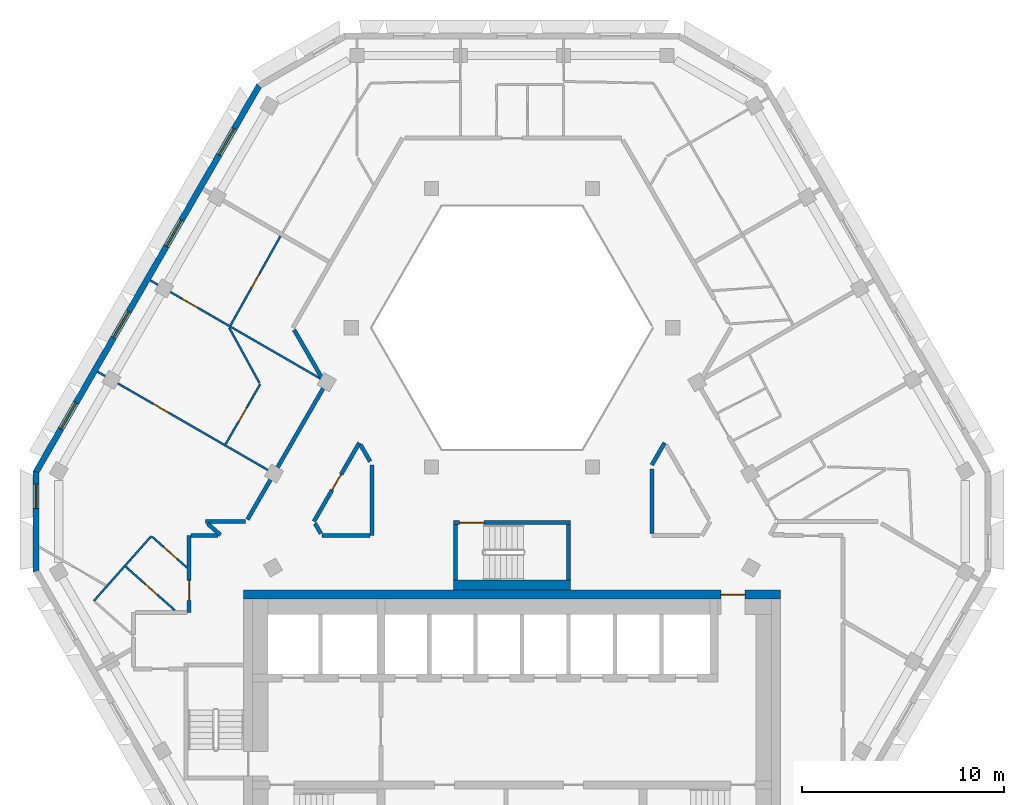
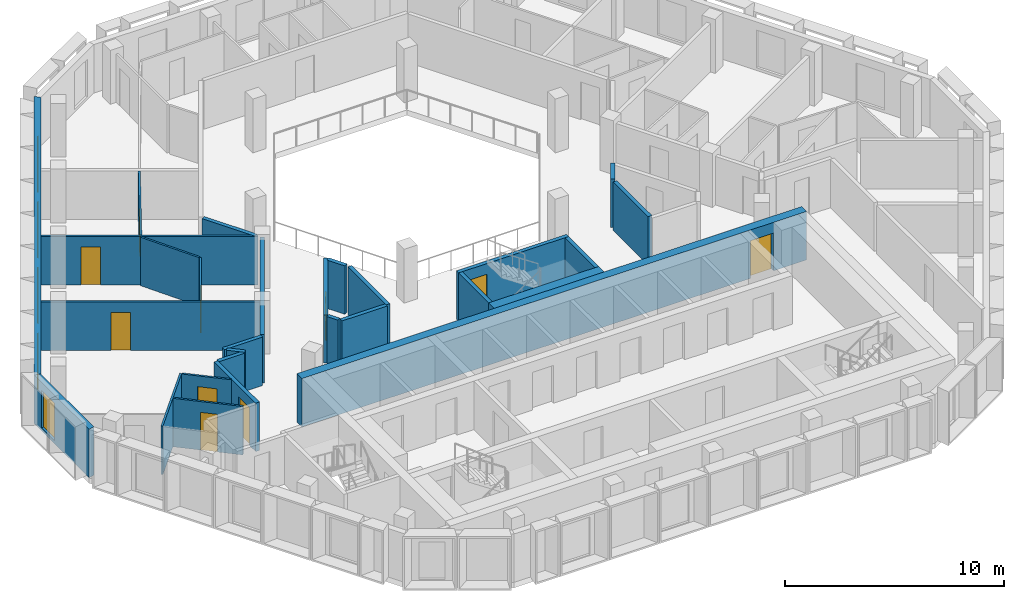
# One storey, part 4 of 14: 28 walls, 10 doors, 5 windows, 15 openings.
"""IFC4 building model written with IfcOpenShell, lengths in metres."""

from ifc_helpers import new_model, si_unit, direction, frame, frame_2d, origin, place, context, subcontext, project, spatial, polyline, rectangle, outline, extrude, material, layer, layer_set, type_object, element, fill, save


model = new_model("IFC4")

# Units and contexts
model_context = context("Model", 3, precision=1e-05, world=origin(), true_north=direction((0.0, 1.0)))
body_context = subcontext(model_context, "Body", "Model", "MODEL_VIEW")
ifc_project = project(units=[si_unit("LENGTHUNIT", "METRE"), si_unit("AREAUNIT", "SQUARE_METRE"), si_unit("VOLUMEUNIT", "CUBIC_METRE"), si_unit("PLANEANGLEUNIT", "RADIAN"), si_unit("MASSUNIT", "GRAM", prefix="KILO")], contexts=[model_context])

# Site, building, storey
site_placement = place(None, origin())
site = spatial("IfcSite", under=ifc_project, at=site_placement, CompositionType="ELEMENT")
building_placement = place(site_placement, origin())
building = spatial("IfcBuilding", under=site, at=building_placement, Name="Beryl Residences", CompositionType="ELEMENT")
storey_placement = place(building_placement, frame((0.0, 0.0, 235.800048828125)))
storey = spatial("IfcBuildingStorey", under=building, at=storey_placement, Name="L73", CompositionType="ELEMENT", Elevation=235.800048828125)

# Wall, openings, windows
ifc_material_1 = material(Name="Composite metal panel with mineral wool insulation")
ifc_layer_1 = layer(ifc_material_1, 0.300048828125)
ifc_layer_set_1 = layer_set([ifc_layer_1], Name="ES1 pale metal composite panel wall 300 mm")
wall_type_1 = type_object("IfcWallType", Name="ES1 pale metal composite panel wall 300 mm", PredefinedType="SOLIDWALL", material=ifc_layer_set_1)
wall_1_placement = place(storey_placement, frame((-12.513916015625, 20.02490234375, 0.0), z_axis=(0.0, 0.0, 1.0), x_axis=(-0.500003656944, -0.866023292436, 0.0)))
wall_1 = element("IfcWall", 1, at=wall_1_placement, inside=storey, type_object=wall_type_1, Name="ES1 external wall L73 NW", PredefinedType="SOLIDWALL", context=body_context, shape_type="SweptSolid", body=[
    extrude(outline(polyline([(0.0, -0.14990234375), (22.170166015625, -0.14990234375), (22.08984375, 0.14990234375), (0.080322265625, 0.14990234375), (0.0, -0.14990234375)])), origin(), (0.0, 0.0, 1.0), 2.699951171875),
])
opening_1_placement = place(wall_1_placement, frame((2.4970703125, 0.0, 0.14990234375)))
opening_1 = element("IfcOpeningElement", 2, at=opening_1_placement, cuts=wall_1, Name="Opening W1", PredefinedType="OPENING", context=body_context, shape_type="SweptSolid", body=[
    extrude(rectangle(XDim=1.5, YDim=2.10009765625, at=frame_2d((0.75, 1.050048828125))), frame((0.0, 0.159912109375, 0.0), z_axis=(0.0, -1.0, 0.0), x_axis=(1.0, 0.0, 0.0)), (0.0, 0.0, 1.0), 0.320068359375),
])
opening_2_placement = place(wall_1_placement, frame((7.721923828125, 0.0, 0.14990234375)))
opening_2 = element("IfcOpeningElement", 3, at=opening_2_placement, cuts=wall_1, Name="Opening W1", PredefinedType="OPENING", context=body_context, shape_type="SweptSolid", body=[
    extrude(rectangle(XDim=1.5, YDim=2.10009765625, at=frame_2d((0.75, 1.050048828125))), frame((0.0, 0.159912109375, 0.0), z_axis=(0.0, -1.0, 0.0), x_axis=(1.0, 0.0, 0.0)), (0.0, 0.0, 1.0), 0.320068359375),
])
opening_3_placement = place(wall_1_placement, frame((12.947998046875, 0.0, 0.14990234375)))
opening_3 = element("IfcOpeningElement", 4, at=opening_3_placement, cuts=wall_1, Name="Opening W1", PredefinedType="OPENING", context=body_context, shape_type="SweptSolid", body=[
    extrude(rectangle(XDim=1.5, YDim=2.10009765625, at=frame_2d((0.75, 1.050048828125))), frame((0.0, 0.159912109375, 0.0), z_axis=(0.0, -1.0, 0.0), x_axis=(1.0, 0.0, 0.0)), (0.0, 0.0, 1.0), 0.320068359375),
])
opening_4_placement = place(wall_1_placement, frame((18.173095703125, 0.0, 0.14990234375)))
opening_4 = element("IfcOpeningElement", 5, at=opening_4_placement, cuts=wall_1, Name="Opening W1", PredefinedType="OPENING", context=body_context, shape_type="SweptSolid", body=[
    extrude(rectangle(XDim=1.5, YDim=2.10009765625, at=frame_2d((0.75, 1.050048828125))), frame((0.0, 0.159912109375, 0.0), z_axis=(0.0, -1.0, 0.0), x_axis=(1.0, 0.0, 0.0)), (0.0, 0.0, 1.0), 0.320068359375),
])
ifc_material_2 = material(Name="Aluminium and clear glass", Category="aluminium")
window_type_1 = type_object("IfcWindowType", Name="W1 cell window 1500 x 2100 mm", PartitioningType="SINGLE_PANEL", PredefinedType="WINDOW", material=ifc_material_2)
window_1_placement = place(opening_1_placement, origin())
window_1 = element("IfcWindow", 6, at=window_1_placement, inside=storey, type_object=window_type_1, Name="W1 window L73 NW 2", OverallHeight=2.10009765625, OverallWidth=1.5, PartitioningType="SINGLE_PANEL", PredefinedType="WINDOW", context=body_context, shape_type="SweptSolid", body=[
    extrude(rectangle(XDim=1.5, YDim=2.10009765625, at=frame_2d((0.75, 1.050048828125))), frame((0.0, 0.030029296875, 0.0), z_axis=(0.0, -1.0, 0.0), x_axis=(1.0, 0.0, 0.0)), (0.0, 0.0, 1.0), 0.06005859375),
])
fill(opening_1, window_1)
window_2_placement = place(opening_2_placement, origin())
window_2 = element("IfcWindow", 7, at=window_2_placement, inside=storey, type_object=window_type_1, Name="W1 window L73 NW 4", OverallHeight=2.10009765625, OverallWidth=1.5, PartitioningType="SINGLE_PANEL", PredefinedType="WINDOW", context=body_context, shape_type="SweptSolid", body=[
    extrude(rectangle(XDim=1.5, YDim=2.10009765625, at=frame_2d((0.75, 1.050048828125))), frame((0.0, 0.030029296875, 0.0), z_axis=(0.0, -1.0, 0.0), x_axis=(1.0, 0.0, 0.0)), (0.0, 0.0, 1.0), 0.06005859375),
])
fill(opening_2, window_2)
window_3_placement = place(opening_3_placement, origin())
window_3 = element("IfcWindow", 8, at=window_3_placement, inside=storey, type_object=window_type_1, Name="W1 window L73 NW 6", OverallHeight=2.10009765625, OverallWidth=1.5, PartitioningType="SINGLE_PANEL", PredefinedType="WINDOW", context=body_context, shape_type="SweptSolid", body=[
    extrude(rectangle(XDim=1.5, YDim=2.10009765625, at=frame_2d((0.75, 1.050048828125))), frame((0.0, 0.030029296875, 0.0), z_axis=(0.0, -1.0, 0.0), x_axis=(1.0, 0.0, 0.0)), (0.0, 0.0, 1.0), 0.06005859375),
])
fill(opening_3, window_3)
window_4_placement = place(opening_4_placement, origin())
window_4 = element("IfcWindow", 9, at=window_4_placement, inside=storey, type_object=window_type_1, Name="W1 window L73 NW 8", OverallHeight=2.10009765625, OverallWidth=1.5, PartitioningType="SINGLE_PANEL", PredefinedType="WINDOW", context=body_context, shape_type="SweptSolid", body=[
    extrude(rectangle(XDim=1.5, YDim=2.10009765625, at=frame_2d((0.75, 1.050048828125))), frame((0.0, 0.030029296875, 0.0), z_axis=(0.0, -1.0, 0.0), x_axis=(1.0, 0.0, 0.0)), (0.0, 0.0, 1.0), 0.06005859375),
])
fill(opening_4, window_4)

# Wall, opening, window
wall_2_placement = place(storey_placement, frame((-23.5791015625, 0.89990234375, 0.0), z_axis=(0.0, 0.0, 1.0), x_axis=(0.0, -1.0, 0.0)))
wall_2 = element("IfcWall", 10, at=wall_2_placement, inside=storey, type_object=wall_type_1, Name="ES1 external wall L73 NW-SW", PredefinedType="SOLIDWALL", context=body_context, shape_type="SweptSolid", body=[
    extrude(outline(polyline([(0.0, -0.14990234375), (5.0, -0.14990234375), (4.919677734375, 0.14990234375), (0.080322265625, 0.14990234375), (0.0, -0.14990234375)])), origin(), (0.0, 0.0, 1.0), 2.699951171875),
])
opening_5_placement = place(wall_2_placement, frame((0.64990234375, 0.0, 0.14990234375)))
opening_5 = element("IfcOpeningElement", 11, at=opening_5_placement, cuts=wall_2, Name="Opening W2", PredefinedType="OPENING", context=body_context, shape_type="SweptSolid", body=[
    extrude(rectangle(XDim=1.199951171875, YDim=2.10009765625, at=frame_2d((0.60009765625, 1.050048828125))), frame((0.0, 0.159912109375, 0.0), z_axis=(0.0, -1.0, 0.0), x_axis=(1.0, 0.0, 0.0)), (0.0, 0.0, 1.0), 0.320068359375),
])
ifc_material_3 = material(Name="Aluminium and clear glass", Category="aluminium")
window_type_2 = type_object("IfcWindowType", Name="W2 chamfer window 1200 x 2100 mm", PartitioningType="SINGLE_PANEL", PredefinedType="WINDOW", material=ifc_material_3)
window_5_placement = place(opening_5_placement, origin())
window_5 = element("IfcWindow", 12, at=window_5_placement, inside=storey, type_object=window_type_2, Name="W2 window L73 NW-SW 1", OverallHeight=2.10009765625, OverallWidth=1.199951171875, PartitioningType="SINGLE_PANEL", PredefinedType="WINDOW", context=body_context, shape_type="SweptSolid", body=[
    extrude(rectangle(XDim=1.199951171875, YDim=2.10009765625, at=frame_2d((0.60009765625, 1.050048828125))), frame((0.0, 0.030029296875, 0.0), z_axis=(0.0, -1.0, 0.0), x_axis=(1.0, 0.0, 0.0)), (0.0, 0.0, 1.0), 0.06005859375),
])
fill(opening_5, window_5)

# Wall
ifc_material_4 = material(Name="Gypsum board partition on steel studs", Category="steel")
ifc_layer_2 = layer(ifc_material_4, 0.10009765625)
ifc_layer_set_2 = layer_set([ifc_layer_2], Name="PT1 partition 100 mm gypsum board on steel studs")
wall_type_2 = type_object("IfcWallType", Name="PT1 partition 100 mm gypsum board on steel studs", PredefinedType="PARTITIONING", material=ifc_layer_set_2)
wall_3_placement = place(storey_placement, frame((-14.011962890625, 8.0, 0.0), z_axis=(0.0, 0.0, 1.0), x_axis=(0.480183343847, -0.877168145963, 0.0)))
element("IfcWall", 13, at=wall_3_placement, inside=storey, type_object=wall_type_2, Name="Wall PT1 L73 005", PredefinedType="PARTITIONING", context=body_context, shape_type="SweptSolid", body=[
    extrude(rectangle(XDim=3.134033203125, YDim=0.10009765625, at=frame_2d((1.56689453125, 0.0))), origin(), (0.0, 0.0, 1.0), 2.699951171875),
])

# Wall, opening, door
wall_4_placement = place(storey_placement, frame((-20.5390625, 5.824951171875, 0.0), z_axis=(0.0, 0.0, 1.0), x_axis=(0.866089650643, -0.499888704662, 0.0)))
wall_4 = element("IfcWall", 14, at=wall_4_placement, inside=storey, type_object=wall_type_2, Name="Wall PT1 L73 015", PredefinedType="PARTITIONING", context=body_context, shape_type="SweptSolid", body=[
    extrude(rectangle(XDim=10.000244140625, YDim=0.10009765625, at=frame_2d((5.0, 0.0))), origin(), (0.0, 0.0, 1.0), 2.699951171875),
])
opening_6_placement = place(wall_4_placement, frame((3.196044921875, 0.0, 0.0)))
opening_6 = element("IfcOpeningElement", 15, at=opening_6_placement, cuts=wall_4, Name="Opening D2215", PredefinedType="OPENING", context=body_context, shape_type="SweptSolid", body=[
    extrude(rectangle(XDim=0.89990234375, YDim=2.10009765625, at=frame_2d((0.449951171875, 1.050048828125))), frame((0.0, 0.06005859375, 0.0), z_axis=(0.0, -1.0, 0.0), x_axis=(1.0, 0.0, 0.0)), (0.0, 0.0, 1.0), 0.1201171875),
])
ifc_material_5 = material(Name="Timber door leaf", Category="wood")
door_type_1 = type_object("IfcDoorType", Name="D2 room door 900 x 2100 mm", OperationType="SINGLE_SWING_LEFT", PredefinedType="DOOR", material=ifc_material_5)
door_1_placement = place(opening_6_placement, origin())
door_1 = element("IfcDoor", 16, at=door_1_placement, inside=storey, type_object=door_type_1, Name="Door D2215 L73 001", OperationType="SINGLE_SWING_LEFT", OverallHeight=2.10009765625, OverallWidth=0.89990234375, PredefinedType="DOOR", context=body_context, shape_type="SweptSolid", body=[
    extrude(rectangle(XDim=0.89990234375, YDim=2.10009765625, at=frame_2d((0.449951171875, 1.050048828125))), frame((0.0, 0.02490234375, 0.0), z_axis=(0.0, -1.0, 0.0), x_axis=(1.0, 0.0, 0.0)), (0.0, 0.0, 1.0), 0.050048828125),
])
fill(opening_6, door_1)

wall_5_placement = place(storey_placement, frame((-17.926025390625, 10.35009765625, 0.0), z_axis=(0.0, 0.0, 1.0), x_axis=(0.866018411306, -0.500012111133, 0.0)))
wall_5 = element("IfcWall", 17, at=wall_5_placement, inside=storey, type_object=wall_type_2, Name="Wall PT1 L73 017", PredefinedType="PARTITIONING", context=body_context, shape_type="SweptSolid", body=[
    extrude(rectangle(XDim=9.898193359375, YDim=0.10009765625, at=frame_2d((4.94921875, 0.0))), origin(), (0.0, 0.0, 1.0), 2.699951171875),
])
opening_7_placement = place(wall_5_placement, frame((1.830078125, 0.0, 0.0)))
opening_7 = element("IfcOpeningElement", 18, at=opening_7_placement, cuts=wall_5, Name="Opening D2217", PredefinedType="OPENING", context=body_context, shape_type="SweptSolid", body=[
    extrude(rectangle(XDim=0.89990234375, YDim=2.10009765625, at=frame_2d((0.449951171875, 1.050048828125))), frame((0.0, 0.06005859375, 0.0), z_axis=(0.0, -1.0, 0.0), x_axis=(1.0, 0.0, 0.0)), (0.0, 0.0, 1.0), 0.1201171875),
])
door_2_placement = place(opening_7_placement, origin())
door_2 = element("IfcDoor", 19, at=door_2_placement, inside=storey, type_object=door_type_1, Name="Door D2217 L73 001", OperationType="SINGLE_SWING_LEFT", OverallHeight=2.10009765625, OverallWidth=0.89990234375, PredefinedType="DOOR", context=body_context, shape_type="SweptSolid", body=[
    extrude(rectangle(XDim=0.89990234375, YDim=2.10009765625, at=frame_2d((0.449951171875, 1.050048828125))), frame((0.0, 0.02490234375, 0.0), z_axis=(0.0, -1.0, 0.0), x_axis=(1.0, 0.0, 0.0)), (0.0, 0.0, 1.0), 0.050048828125),
])
fill(opening_7, door_2)

wall_6_placement = place(storey_placement, frame((-17.8330078125, -2.35498046875, 0.0), z_axis=(0.0, 0.0, 1.0), x_axis=(0.748577710953, -0.663047065196, 0.0)))
wall_6 = element("IfcWall", 20, at=wall_6_placement, inside=storey, type_object=wall_type_2, Name="Wall PT1 L73 018", PredefinedType="PARTITIONING", context=body_context, shape_type="SweptSolid", body=[
    extrude(rectangle(XDim=2.31494140625, YDim=0.10009765625, at=frame_2d((1.157470703125, 0.0))), origin(), (0.0, 0.0, 1.0), 2.699951171875),
])
opening_8_placement = place(wall_6_placement, frame((0.7490234375, 0.0, 0.0)))
opening_8 = element("IfcOpeningElement", 21, at=opening_8_placement, cuts=wall_6, Name="Opening D2214", PredefinedType="OPENING", context=body_context, shape_type="SweptSolid", body=[
    extrude(rectangle(XDim=0.89990234375, YDim=2.10009765625, at=frame_2d((0.449951171875, 1.050048828125))), frame((0.0, 0.06005859375, 0.0), z_axis=(0.0, -1.0, 0.0), x_axis=(1.0, 0.0, 0.0)), (0.0, 0.0, 1.0), 0.1201171875),
])
door_3_placement = place(opening_8_placement, origin())
door_3 = element("IfcDoor", 22, at=door_3_placement, inside=storey, type_object=door_type_1, Name="Door D2214 L73 001", OperationType="SINGLE_SWING_RIGHT", OverallHeight=2.10009765625, OverallWidth=0.89990234375, PredefinedType="DOOR", context=body_context, shape_type="SweptSolid", body=[
    extrude(rectangle(XDim=0.89990234375, YDim=2.10009765625, at=frame_2d((0.449951171875, 1.050048828125))), frame((0.0, 0.02490234375, 0.0), z_axis=(0.0, -1.0, 0.0), x_axis=(1.0, 0.0, 0.0)), (0.0, 0.0, 1.0), 0.050048828125),
])
fill(opening_8, door_3)

wall_7_placement = place(storey_placement, frame((-19.14599609375, -3.8359375, 0.0), z_axis=(0.0, 0.0, 1.0), x_axis=(0.748267567437, -0.663397051186, 0.0)))
wall_7 = element("IfcWall", 23, at=wall_7_placement, inside=storey, type_object=wall_type_2, Name="Wall PT1 L73 019", PredefinedType="PARTITIONING", context=body_context, shape_type="SweptSolid", body=[
    extrude(rectangle(XDim=3.26220703125, YDim=0.10009765625, at=frame_2d((1.631103515625, 0.0))), origin(), (0.0, 0.0, 1.0), 2.699951171875),
])
opening_9_placement = place(wall_7_placement, frame((1.281982421875, 0.0, 0.0)))
opening_9 = element("IfcOpeningElement", 24, at=opening_9_placement, cuts=wall_7, Name="Opening D2213", PredefinedType="OPENING", context=body_context, shape_type="SweptSolid", body=[
    extrude(rectangle(XDim=0.800048828125, YDim=2.10009765625, at=frame_2d((0.39990234375, 1.050048828125))), frame((0.0, 0.06005859375, 0.0), z_axis=(0.0, -1.0, 0.0), x_axis=(1.0, 0.0, 0.0)), (0.0, 0.0, 1.0), 0.1201171875),
])
ifc_material_6 = material(Name="Timber door leaf", Category="wood")
door_type_2 = type_object("IfcDoorType", Name="D3 bathroom door 800 x 2100 mm", OperationType="SINGLE_SWING_LEFT", PredefinedType="DOOR", material=ifc_material_6)
door_4_placement = place(opening_9_placement, origin())
door_4 = element("IfcDoor", 25, at=door_4_placement, inside=storey, type_object=door_type_2, Name="Door D2213 L73 001", OperationType="SINGLE_SWING_LEFT", OverallHeight=2.10009765625, OverallWidth=0.800048828125, PredefinedType="DOOR", context=body_context, shape_type="SweptSolid", body=[
    extrude(rectangle(XDim=0.800048828125, YDim=2.10009765625, at=frame_2d((0.39990234375, 1.050048828125))), frame((0.0, 0.02490234375, 0.0), z_axis=(0.0, -1.0, 0.0), x_axis=(1.0, 0.0, 0.0)), (0.0, 0.0, 1.0), 0.050048828125),
])
fill(opening_9, door_4)

wall_8_placement = place(storey_placement, frame((-14.197998046875, 2.221923828125, 0.0), z_axis=(0.0, 0.0, 1.0), x_axis=(0.500042121486, 0.866001083567, 0.0)))
wall_8 = element("IfcWall", 26, at=wall_8_placement, inside=storey, type_object=wall_type_2, Name="Wall PT1 L73 023", PredefinedType="PARTITIONING", context=body_context, shape_type="SweptSolid", body=[
    extrude(rectangle(XDim=3.437744140625, YDim=0.10009765625, at=frame_2d((1.71875, 0.0))), origin(), (0.0, 0.0, 1.0), 2.699951171875),
])
opening_10_placement = place(wall_8_placement, frame((1.2939453125, 0.0, 0.0)))
opening_10 = element("IfcOpeningElement", 27, at=opening_10_placement, cuts=wall_8, Name="Opening D2219", PredefinedType="OPENING", context=body_context, shape_type="SweptSolid", body=[
    extrude(rectangle(XDim=0.800048828125, YDim=2.10009765625, at=frame_2d((0.39990234375, 1.050048828125))), frame((0.0, 0.06005859375, 0.0), z_axis=(0.0, -1.0, 0.0), x_axis=(1.0, 0.0, 0.0)), (0.0, 0.0, 1.0), 0.1201171875),
])
door_5_placement = place(opening_10_placement, origin())
door_5 = element("IfcDoor", 28, at=door_5_placement, inside=storey, type_object=door_type_2, Name="Door D2219 L73 001", OperationType="SINGLE_SWING_LEFT", OverallHeight=2.10009765625, OverallWidth=0.800048828125, PredefinedType="DOOR", context=body_context, shape_type="SweptSolid", body=[
    extrude(rectangle(XDim=0.800048828125, YDim=2.10009765625, at=frame_2d((0.39990234375, 1.050048828125))), frame((0.0, 0.02490234375, 0.0), z_axis=(0.0, -1.0, 0.0), x_axis=(1.0, 0.0, 0.0)), (0.0, 0.0, 1.0), 0.050048828125),
])
fill(opening_10, door_5)

wall_9_placement = place(storey_placement, frame((-13.951904296875, 8.113037109375, 0.0), z_axis=(0.0, 0.0, 1.0), x_axis=(0.488568218554, 0.872525699231, 0.0)))
wall_9 = element("IfcWall", 29, at=wall_9_placement, inside=storey, type_object=wall_type_2, Name="Wall PT1 L73 026", PredefinedType="PARTITIONING", context=body_context, shape_type="SweptSolid", body=[
    extrude(rectangle(XDim=5.075927734375, YDim=0.10009765625, at=frame_2d((2.5380859375, 0.0))), origin(), (0.0, 0.0, 1.0), 2.699951171875),
])
opening_11_placement = place(wall_9_placement, frame((2.1630859375, 0.0, 0.0)))
opening_11 = element("IfcOpeningElement", 30, at=opening_11_placement, cuts=wall_9, Name="Opening D2218", PredefinedType="OPENING", context=body_context, shape_type="SweptSolid", body=[
    extrude(rectangle(XDim=0.800048828125, YDim=2.10009765625, at=frame_2d((0.39990234375, 1.050048828125))), frame((0.0, 0.06005859375, 0.0), z_axis=(0.0, -1.0, 0.0), x_axis=(1.0, 0.0, 0.0)), (0.0, 0.0, 1.0), 0.1201171875),
])
door_6_placement = place(opening_11_placement, origin())
door_6 = element("IfcDoor", 31, at=door_6_placement, inside=storey, type_object=door_type_2, Name="Door D2218 L73 001", OperationType="SINGLE_SWING_RIGHT", OverallHeight=2.10009765625, OverallWidth=0.800048828125, PredefinedType="DOOR", context=body_context, shape_type="SweptSolid", body=[
    extrude(rectangle(XDim=0.800048828125, YDim=2.10009765625, at=frame_2d((0.39990234375, 1.050048828125))), frame((0.0, 0.02490234375, 0.0), z_axis=(0.0, -1.0, 0.0), x_axis=(1.0, 0.0, 0.0)), (0.0, 0.0, 1.0), 0.050048828125),
])
fill(opening_11, door_6)

# Walls
wall_10_placement = place(storey_placement, frame((-20.716064453125, -5.531982421875, 0.0), z_axis=(0.0, 0.0, 1.0), x_axis=(0.663278535613, 0.748372623895, 0.0)))
element("IfcWall", 32, at=wall_10_placement, inside=storey, type_object=wall_type_2, Name="Wall PT1 L73 039", PredefinedType="PARTITIONING", context=body_context, shape_type="SweptSolid", body=[
    extrude(rectangle(XDim=4.289306640625, YDim=0.10009765625, at=frame_2d((2.14453125, 0.0))), origin(), (0.0, 0.0, 1.0), 2.699951171875),
])
ifc_material_7 = material(Name="Acoustic double stud gypsum board wall")
ifc_layer_3 = layer(ifc_material_7, 0.199951171875)
ifc_layer_set_3 = layer_set([ifc_layer_3], Name="PT3 party wall 200 mm acoustic double stud")
wall_type_3 = type_object("IfcWallType", Name="PT3 party wall 200 mm acoustic double stud", PredefinedType="PARTITIONING", material=ifc_layer_set_3)
wall_11_placement = place(storey_placement, frame((-15.0859375, -1.701904296875, 0.0), z_axis=(0.0, 0.0, 1.0), x_axis=(0.748305129876, -0.663354680846, 0.0)))
element("IfcWall", 33, at=wall_11_placement, inside=storey, type_object=wall_type_3, Name="Wall PT3 L73 004", PredefinedType="PARTITIONING", context=body_context, shape_type="SweptSolid", body=[
    extrude(rectangle(XDim=0.8564453125, YDim=0.199951171875, at=frame_2d((0.42822265625, 0.0))), origin(), (0.0, 0.0, 1.0), 2.699951171875),
])
wall_12_placement = place(storey_placement, frame((-15.197998046875, -1.60009765625, 0.0), z_axis=(0.0, 0.0, 1.0), x_axis=(1.0, 0.0, 0.0)))
element("IfcWall", 34, at=wall_12_placement, inside=storey, type_object=wall_type_3, Name="Wall PT3 L73 005", PredefinedType="PARTITIONING", context=body_context, shape_type="SweptSolid", body=[
    extrude(rectangle(XDim=2.0048828125, YDim=0.199951171875, at=frame_2d((1.00244140625, 0.0))), origin(), (0.0, 0.0, 1.0), 2.699951171875),
])
ifc_material_8 = material(Name="Double stud gypsum board wall")
ifc_layer_4 = layer(ifc_material_8, 0.199951171875)
ifc_layer_set_4 = layer_set([ifc_layer_4], Name="PT4 corridor wall 200 mm double stud")
wall_type_4 = type_object("IfcWallType", Name="PT4 corridor wall 200 mm double stud", PredefinedType="PARTITIONING", material=ifc_layer_set_4)
wall_13_placement = place(storey_placement, frame((-10.7958984375, 7.89990234375, 0.0), z_axis=(0.0, 0.0, 1.0), x_axis=(0.499674397761, -0.866213308731, 0.0)))
element("IfcWall", 35, at=wall_13_placement, inside=storey, type_object=wall_type_4, Name="Wall PT4 L73 001", PredefinedType="PARTITIONING", context=body_context, shape_type="SweptSolid", body=[
    extrude(rectangle(XDim=2.785400390625, YDim=0.199951171875, at=frame_2d((1.392578125, 0.0))), origin(), (0.0, 0.0, 1.0), 2.699951171875),
])
wall_14_placement = place(storey_placement, frame((-7.5048828125, 2.197998046875, 0.0), z_axis=(0.0, 0.0, 1.0), x_axis=(0.500409926597, -0.865788603161, 0.0)))
element("IfcWall", 36, at=wall_14_placement, inside=storey, type_object=wall_type_4, Name="Wall PT4 L73 002", PredefinedType="PARTITIONING", context=body_context, shape_type="SweptSolid", body=[
    extrude(rectangle(XDim=0.952880859375, YDim=0.199951171875, at=frame_2d((0.4765625, 0.0))), origin(), (0.0, 0.0, 1.0), 2.699951171875),
])
wall_15_placement = place(storey_placement, frame((-9.757080078125, -1.700927734375, 0.0), z_axis=(0.0, 0.0, 1.0), x_axis=(0.49996696679, -0.866044474677, 0.0)))
element("IfcWall", 37, at=wall_15_placement, inside=storey, type_object=wall_type_4, Name="Wall PT4 L73 003", PredefinedType="PARTITIONING", context=body_context, shape_type="SweptSolid", body=[
    extrude(rectangle(XDim=0.576171875, YDim=0.199951171875, at=frame_2d((0.2880859375, 0.0))), origin(), (0.0, 0.0, 1.0), 2.699951171875),
])
wall_16_placement = place(storey_placement, frame((6.927978515625, 1.0, 0.0), z_axis=(0.0, 0.0, 1.0), x_axis=(0.0, -1.0, 0.0)))
element("IfcWall", 38, at=wall_16_placement, inside=storey, type_object=wall_type_4, Name="Wall PT4 L73 008", PredefinedType="PARTITIONING", context=body_context, shape_type="SweptSolid", body=[
    extrude(rectangle(XDim=3.198974609375, YDim=0.199951171875, at=frame_2d((1.599609375, 0.0))), origin(), (0.0, 0.0, 1.0), 2.699951171875),
])
wall_17_placement = place(storey_placement, frame((-15.89892578125, -2.300048828125, 0.0), z_axis=(0.0, 0.0, 1.0), x_axis=(1.0, 0.0, 0.0)))
element("IfcWall", 39, at=wall_17_placement, inside=storey, type_object=wall_type_4, Name="Wall PT4 L73 013", PredefinedType="PARTITIONING", context=body_context, shape_type="SweptSolid", body=[
    extrude(rectangle(XDim=1.3369140625, YDim=0.199951171875, at=frame_2d((0.66845703125, 0.0))), origin(), (0.0, 0.0, 1.0), 2.699951171875),
])
wall_18_placement = place(storey_placement, frame((-9.409912109375, -2.300048828125, 0.0), z_axis=(0.0, 0.0, 1.0), x_axis=(1.0, 0.0, 0.0)))
element("IfcWall", 40, at=wall_18_placement, inside=storey, type_object=wall_type_4, Name="Wall PT4 L73 014", PredefinedType="PARTITIONING", context=body_context, shape_type="SweptSolid", body=[
    extrude(rectangle(XDim=2.380859375, YDim=0.199951171875, at=frame_2d((1.1904296875, 0.0))), origin(), (0.0, 0.0, 1.0), 2.699951171875),
])
wall_19_placement = place(storey_placement, frame((6.927978515625, 1.199951171875, 0.0), z_axis=(0.0, 0.0, 1.0), x_axis=(0.500255167297, 0.865878032746, 0.0)))
element("IfcWall", 41, at=wall_19_placement, inside=storey, type_object=wall_type_4, Name="Wall PT4 L73 018", PredefinedType="PARTITIONING", context=body_context, shape_type="SweptSolid", body=[
    extrude(rectangle(XDim=1.269287109375, YDim=0.199951171875, at=frame_2d((0.634765625, 0.0))), origin(), (0.0, 0.0, 1.0), 2.699951171875),
])

# Wall, opening, door
wall_20_placement = place(storey_placement, frame((-9.81494140625, -1.60009765625, 0.0), z_axis=(0.0, 0.0, 1.0), x_axis=(0.500058909736, 0.865991389561, 0.0)))
wall_20 = element("IfcWall", 42, at=wall_20_placement, inside=storey, type_object=wall_type_4, Name="Wall PT4 L73 022", PredefinedType="PARTITIONING", context=body_context, shape_type="SweptSolid", body=[
    extrude(rectangle(XDim=4.50146484375, YDim=0.199951171875, at=frame_2d((2.250732421875, 0.0))), origin(), (0.0, 0.0, 1.0), 2.699951171875),
])
opening_12_placement = place(wall_20_placement, frame((1.801025390625, 0.0, 0.0)))
opening_12 = element("IfcOpeningElement", 43, at=opening_12_placement, cuts=wall_20, Name="Opening D2234", PredefinedType="OPENING", context=body_context, shape_type="SweptSolid", body=[
    extrude(rectangle(XDim=0.89990234375, YDim=2.10009765625, at=frame_2d((0.449951171875, 1.050048828125))), frame((0.0, 0.10986328125, 0.0), z_axis=(0.0, -1.0, 0.0), x_axis=(1.0, 0.0, 0.0)), (0.0, 0.0, 1.0), 0.219970703125),
])
door_7_placement = place(opening_12_placement, origin())
door_7 = element("IfcDoor", 44, at=door_7_placement, inside=storey, type_object=door_type_1, Name="Door D2234 L73 001", OperationType="SINGLE_SWING_RIGHT", OverallHeight=2.10009765625, OverallWidth=0.89990234375, PredefinedType="DOOR", context=body_context, shape_type="SweptSolid", body=[
    extrude(rectangle(XDim=0.89990234375, YDim=2.10009765625, at=frame_2d((0.449951171875, 1.050048828125))), frame((0.0, 0.02490234375, 0.0), z_axis=(0.0, -1.0, 0.0), x_axis=(1.0, 0.0, 0.0)), (0.0, 0.0, 1.0), 0.050048828125),
])
fill(opening_12, door_7)

# Walls
wall_21_placement = place(storey_placement, frame((-13.10595703125, -1.5, 0.0), z_axis=(0.0, 0.0, 1.0), x_axis=(0.500025705601, 0.86601056214, 0.0)))
element("IfcWall", 45, at=wall_21_placement, inside=storey, type_object=wall_type_4, Name="Wall PT4 L73 023", PredefinedType="PARTITIONING", context=body_context, shape_type="SweptSolid", body=[
    extrude(rectangle(XDim=7.7353515625, YDim=0.199951171875, at=frame_2d((3.86767578125, 0.0))), origin(), (0.0, 0.0, 1.0), 2.699951171875),
])
wall_22_placement = place(storey_placement, frame((-6.927978515625, -2.299072265625, 0.0), z_axis=(0.0, 0.0, 1.0), x_axis=(0.0, 1.0, 0.0)))
element("IfcWall", 46, at=wall_22_placement, inside=storey, type_object=wall_type_4, Name="Wall PT4 L73 026", PredefinedType="PARTITIONING", context=body_context, shape_type="SweptSolid", body=[
    extrude(rectangle(XDim=3.4990234375, YDim=0.199951171875, at=frame_2d((1.74951171875, 0.0))), origin(), (0.0, 0.0, 1.0), 2.699951171875),
])

# Wall, opening, door
wall_23_placement = place(storey_placement, frame((-16.0, -6.09912109375, 0.0), z_axis=(0.0, 0.0, 1.0), x_axis=(0.0, 1.0, 0.0)))
wall_23 = element("IfcWall", 47, at=wall_23_placement, inside=storey, type_object=wall_type_4, Name="Wall PT4 L73 027", PredefinedType="PARTITIONING", context=body_context, shape_type="SweptSolid", body=[
    extrude(rectangle(XDim=3.798095703125, YDim=0.199951171875, at=frame_2d((1.89892578125, 0.0))), origin(), (0.0, 0.0, 1.0), 2.699951171875),
])
opening_13_placement = place(wall_23_placement, frame((0.5869140625, 0.0, 0.0)))
opening_13 = element("IfcOpeningElement", 48, at=opening_13_placement, cuts=wall_23, Name="Opening D2212", PredefinedType="OPENING", context=body_context, shape_type="SweptSolid", body=[
    extrude(rectangle(XDim=1.0, YDim=2.10009765625, at=frame_2d((0.5, 1.050048828125))), frame((0.0, 0.10986328125, 0.0), z_axis=(0.0, -1.0, 0.0), x_axis=(1.0, 0.0, 0.0)), (0.0, 0.0, 1.0), 0.219970703125),
])
ifc_material_9 = material(Name="Timber door leaf", Category="wood")
door_type_3 = type_object("IfcDoorType", Name="D1 flat entrance door 1000 x 2100 mm", OperationType="SINGLE_SWING_LEFT", PredefinedType="DOOR", material=ifc_material_9)
door_8_placement = place(opening_13_placement, origin())
door_8 = element("IfcDoor", 49, at=door_8_placement, inside=storey, type_object=door_type_3, Name="Door D2212 L73 001", OperationType="SINGLE_SWING_RIGHT", OverallHeight=2.10009765625, OverallWidth=1.0, PredefinedType="DOOR", context=body_context, shape_type="SweptSolid", body=[
    extrude(rectangle(XDim=1.0, YDim=2.10009765625, at=frame_2d((0.5, 1.050048828125))), frame((0.0, 0.02490234375, 0.0), z_axis=(0.0, -1.0, 0.0), x_axis=(1.0, 0.0, 0.0)), (0.0, 0.0, 1.0), 0.050048828125),
])
fill(opening_13, door_8)

ifc_material_10 = material(Name="Concrete C40/50", Category="concrete")
ifc_layer_5 = layer(ifc_material_10, 0.199951171875)
ifc_layer_set_5 = layer_set([ifc_layer_5], Name="PT5 stair enclosure wall 200 mm reinforced concrete C40/50")
wall_type_5 = type_object("IfcWallType", Name="PT5 stair enclosure wall 200 mm reinforced concrete C40/50", PredefinedType="SOLIDWALL", material=ifc_layer_set_5)
wall_24_placement = place(storey_placement, frame((-2.89990234375, -1.64990234375, 0.0), z_axis=(0.0, 0.0, 1.0), x_axis=(1.0, 0.0, 0.0)))
wall_24 = element("IfcWall", 50, at=wall_24_placement, inside=storey, type_object=wall_type_5, Name="Wall PT5 L73 001", PredefinedType="SOLIDWALL", context=body_context, shape_type="SweptSolid", body=[
    extrude(rectangle(XDim=5.7998046875, YDim=0.199951171875, at=frame_2d((2.89990234375, 0.0))), origin(), (0.0, 0.0, 1.0), 2.699951171875),
])
opening_14_placement = place(wall_24_placement, frame((0.300048828125, 0.0, 0.0)))
opening_14 = element("IfcOpeningElement", 51, at=opening_14_placement, cuts=wall_24, Name="Opening DS04", PredefinedType="OPENING", context=body_context, shape_type="SweptSolid", body=[
    extrude(rectangle(XDim=1.199951171875, YDim=2.10009765625, at=frame_2d((0.60009765625, 1.050048828125))), frame((0.0, 0.10986328125, 0.0), z_axis=(0.0, -1.0, 0.0), x_axis=(1.0, 0.0, 0.0)), (0.0, 0.0, 1.0), 0.219970703125),
])
ifc_material_11 = material(Name="Steel door leaf in steel frame", Category="steel")
door_type_4 = type_object("IfcDoorType", Name="D4 stair door 1200 x 2100 mm", OperationType="SINGLE_SWING_LEFT", PredefinedType="DOOR", material=ifc_material_11)
door_9_placement = place(opening_14_placement, origin())
door_9 = element("IfcDoor", 52, at=door_9_placement, inside=storey, type_object=door_type_4, Name="Door DS04 L73 001", OperationType="SINGLE_SWING_LEFT", OverallHeight=2.10009765625, OverallWidth=1.199951171875, PredefinedType="DOOR", context=body_context, shape_type="SweptSolid", body=[
    extrude(rectangle(XDim=1.199951171875, YDim=2.10009765625, at=frame_2d((0.60009765625, 1.050048828125))), frame((0.0, 0.02490234375, 0.0), z_axis=(0.0, -1.0, 0.0), x_axis=(1.0, 0.0, 0.0)), (0.0, 0.0, 1.0), 0.050048828125),
])
fill(opening_14, door_9)

# Walls
for number, where, z_axis, x_axis, name in (
    (53, (-2.800048828125, -4.5, 0.0), (0.0, 0.0, 1.0), (0.0, 1.0, 0.0), "Wall PT5 L73 002"),
    (54, (2.800048828125, -4.5, 0.0), (0.0, 0.0, 1.0), (0.0, 1.0, 0.0), "Wall PT5 L73 003"),
):
    element("IfcWall", number, at=place(storey_placement, frame(where, z_axis=z_axis, x_axis=x_axis)), inside=storey, type_object=wall_type_5, Name=name, PredefinedType="SOLIDWALL", context=body_context, shape_type="SweptSolid", body=[
        extrude(rectangle(XDim=2.75, YDim=0.199951171875, at=frame_2d((1.375, 0.0))), origin(), (0.0, 0.0, 1.0), 2.699951171875),
    ])
ifc_material_12 = material(Name="Concrete C40/50", Category="concrete")
ifc_layer_6 = layer(ifc_material_12, 0.5)
ifc_layer_set_6 = layer_set([ifc_layer_6], Name="PT5-500 stair enclosure wall 500 mm")
wall_type_6 = type_object("IfcWallType", Name="PT5-500 stair enclosure wall 500 mm", PredefinedType="SOLIDWALL", material=ifc_layer_set_6)
wall_25_placement = place(storey_placement, frame((-2.89990234375, -4.75, 0.0), z_axis=(0.0, 0.0, 1.0), x_axis=(1.0, 0.0, 0.0)))
element("IfcWall", 55, at=wall_25_placement, inside=storey, type_object=wall_type_6, Name="Wall PT5-500 L73 001", PredefinedType="SOLIDWALL", context=body_context, shape_type="SweptSolid", body=[
    extrude(rectangle(XDim=5.7998046875, YDim=0.5, at=frame_2d((2.89990234375, 0.0))), origin(), (0.0, 0.0, 1.0), 2.699951171875),
])

# Wall, opening, door
ifc_material_13 = material(Name="Concrete C50/60", Category="concrete")
ifc_layer_7 = layer(ifc_material_13, 0.449951171875)
ifc_layer_set_7 = layer_set([ifc_layer_7], Name="SW5 core outer wall 450 mm C50/60")
wall_type_7 = type_object("IfcWallType", Name="SW5 core outer wall 450 mm C50/60", PredefinedType="SHEAR", material=ifc_layer_set_7)
wall_26_placement = place(storey_placement, frame((-13.300048828125, -5.22509765625, 0.0), z_axis=(0.0, 0.0, 1.0), x_axis=(1.0, 0.0, 0.0)))
wall_26 = element("IfcWall", 56, at=wall_26_placement, inside=storey, type_object=wall_type_7, Name="Core wall N L73", PredefinedType="SHEAR", context=body_context, shape_type="SweptSolid", body=[
    extrude(rectangle(XDim=26.60009765625, YDim=0.449951171875, at=frame_2d((13.300048828125, 0.0))), origin(), (0.0, 0.0, 1.0), 2.699951171875),
])
opening_15_placement = place(wall_26_placement, frame((23.64990234375, 0.0, 0.0)))
opening_15 = element("IfcOpeningElement", 57, at=opening_15_placement, cuts=wall_26, Name="Opening FD-NORTH", PredefinedType="OPENING", context=body_context, shape_type="SweptSolid", body=[
    extrude(rectangle(XDim=1.199951171875, YDim=2.10009765625, at=frame_2d((0.60009765625, 1.050048828125))), frame((0.0, 0.23486328125, 0.0), z_axis=(0.0, -1.0, 0.0), x_axis=(1.0, 0.0, 0.0)), (0.0, 0.0, 1.0), 0.469970703125),
])
ifc_material_14 = material(Name="Steel door leaf in steel frame", Category="steel")
door_type_5 = type_object("IfcDoorType", Name="D22 lobby door 1200 x 2100 mm", OperationType="DOUBLE_DOOR_SINGLE_SWING", PredefinedType="DOOR", material=ifc_material_14)
door_10_placement = place(opening_15_placement, origin())
door_10 = element("IfcDoor", 58, at=door_10_placement, inside=storey, type_object=door_type_5, Name="Door FD-NORTH L73 001", OperationType="DOUBLE_DOOR_SINGLE_SWING", OverallHeight=2.10009765625, OverallWidth=1.199951171875, PredefinedType="DOOR", context=body_context, shape_type="SweptSolid", body=[
    extrude(rectangle(XDim=1.199951171875, YDim=2.10009765625, at=frame_2d((0.60009765625, 1.050048828125))), frame((0.0, 0.02490234375, 0.0), z_axis=(0.0, -1.0, 0.0), x_axis=(1.0, 0.0, 0.0)), (0.0, 0.0, 1.0), 0.050048828125),
])
fill(opening_15, door_10)

save(model, "model.ifc")
